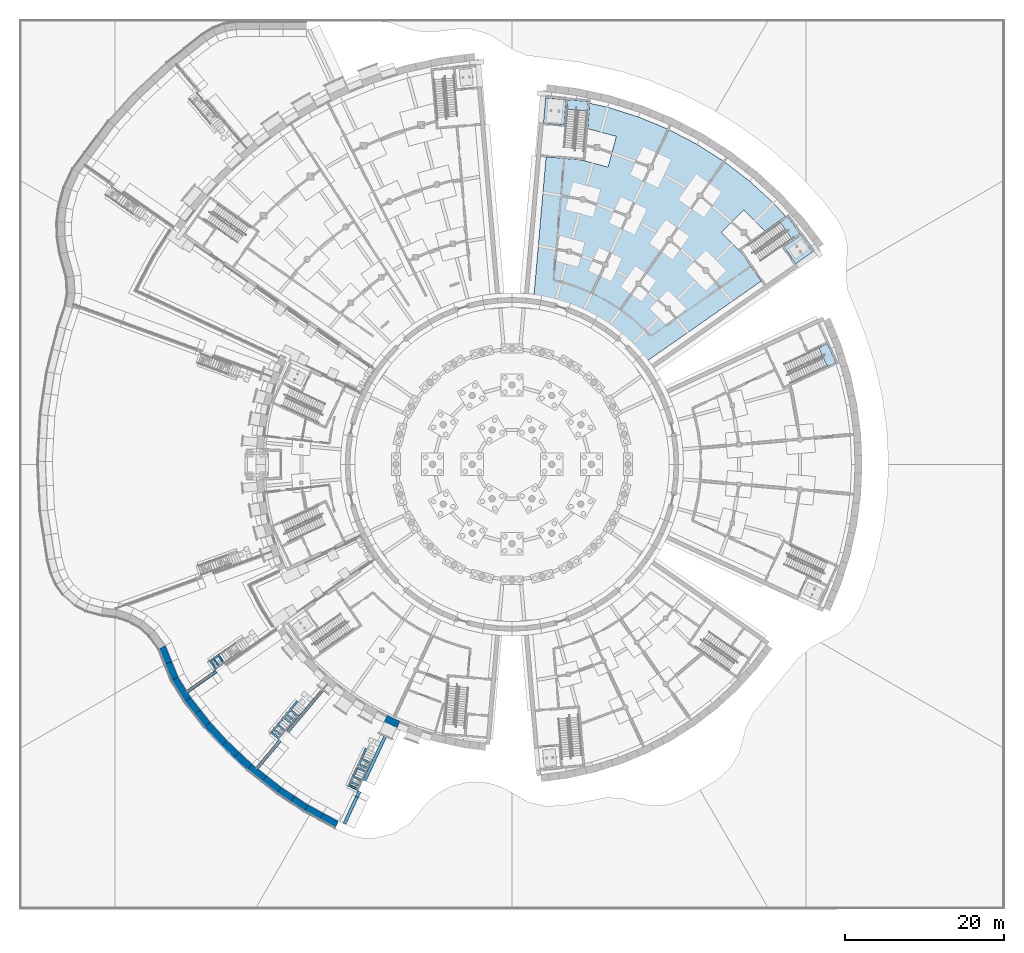
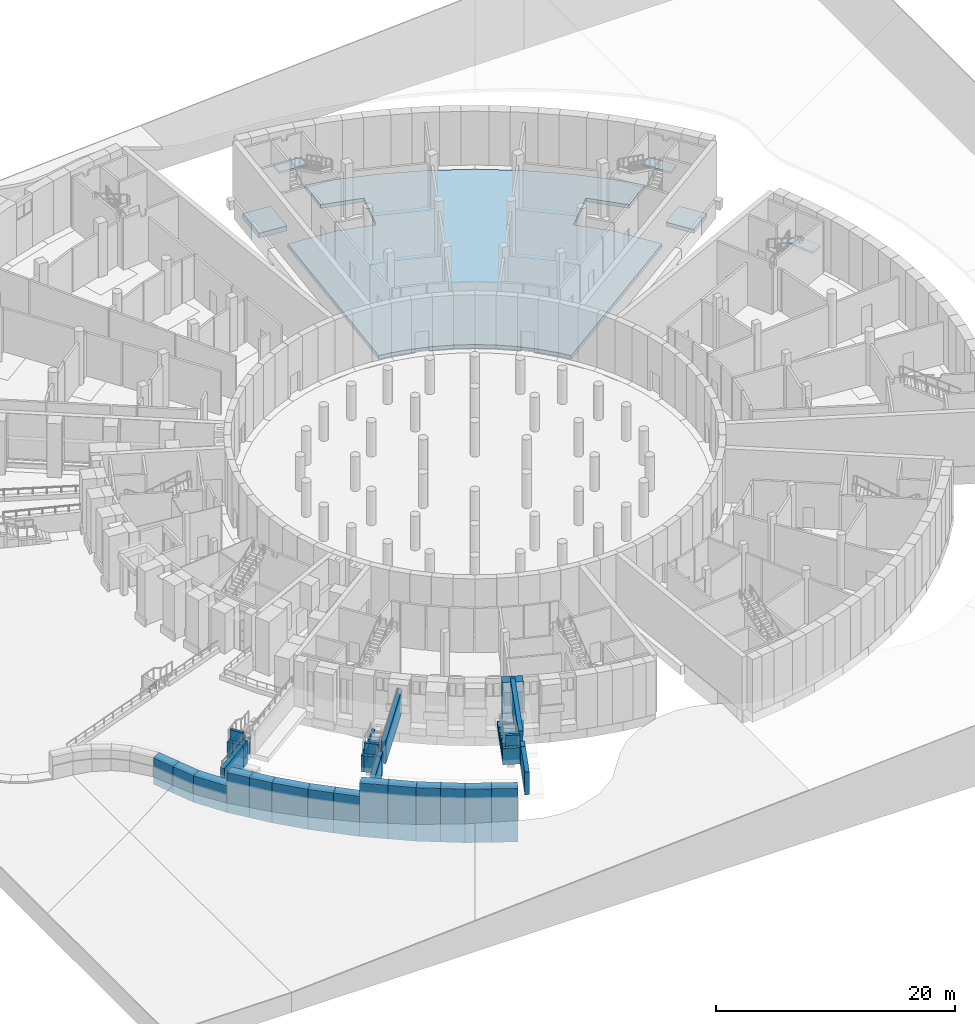
# One storey, part 35 of 65: 50 walls, 6 slabs, 3 elements without a shape of their own.
"""IFC4 building model written with IfcOpenShell, lengths in metres."""

import ifcopenshell
import ifcopenshell.guid

model = None  # the IFC model being written
_history = None  # IfcOwnerHistory: only IFC2X3 demands one
_inside = {}  # id of a spatial element -> (the spatial element, [elements in it])
_under = {}  # id of a project, library or spatial element -> (it, [spatial elements below it])
_declared = {}  # id of a project -> (the project, [libraries it declares])
_typed = {}  # id of a type object -> (the type object, [elements of that type])
_made_of = {}  # id of a material, layer set ... -> (it, [elements and type objects made of it])


def new_model(schema):
    """Start an empty IFC model of exactly this schema.

    Asked for "IFC4X3", IfcOpenShell would pick the latest addendum, in which some entities
    have other attributes; the version numbers below select the first issue.
    IFC2X3 requires an IfcOwnerHistory on every rooted entity: one is made here for all.
    """
    global model, _history
    if schema == "IFC4X3":
        model = ifcopenshell.file(schema_version=(4, 3, 0, 0))
    else:
        model = ifcopenshell.file(schema=schema)
    _inside.clear()
    _under.clear()
    _declared.clear()
    _typed.clear()
    _made_of.clear()
    _history = None
    if model.schema == "IFC2X3":
        org = make("IfcOrganization", Name="unknown")
        user = make(
            "IfcPersonAndOrganization",
            ThePerson=make("IfcPerson", FamilyName="unknown"),
            TheOrganization=org,
        )
        app = make(
            "IfcApplication",
            ApplicationDeveloper=org,
            Version="unknown",
            ApplicationFullName="unknown",
            ApplicationIdentifier="unknown",
        )
        _history = make(
            "IfcOwnerHistory",
            OwningUser=user,
            OwningApplication=app,
            ChangeAction="ADDED",
            CreationDate=0,
        )
    return model


def make(cls, **values):
    """One entity of the class cls with the attributes given. An attribute that is None is left unset."""
    return model.create_entity(
        cls, **{name: value for name, value in values.items() if value is not None}
    )


def rooted(cls, **values):
    """An entity with a GlobalId (a new one), such as an element, a storey or a relation."""
    return make(cls, GlobalId=ifcopenshell.guid.new(), OwnerHistory=_history, **values)


def si_unit(unit_type, name, prefix=None):
    """IfcSIUnit, for example si_unit("LENGTHUNIT", "METRE", prefix="MILLI")."""
    return make("IfcSIUnit", UnitType=unit_type, Prefix=prefix, Name=name)


def assignment(units):
    """IfcUnitAssignment: the units of a project."""
    return None if units is None else make("IfcUnitAssignment", Units=units)


def point(xyz):
    """IfcCartesianPoint."""
    return None if xyz is None else make("IfcCartesianPoint", Coordinates=xyz)


def direction(xyz):
    """IfcDirection."""
    return None if xyz is None else make("IfcDirection", DirectionRatios=xyz)


def frame(location, z_axis=None, x_axis=None):
    """IfcAxis2Placement3D, a coordinate frame: its origin and axes. An axis left out is left unset."""
    return make(
        "IfcAxis2Placement3D",
        Location=point(location),
        Axis=direction(z_axis),
        RefDirection=direction(x_axis),
    )


def frame_2d(location, x_axis=None):
    """IfcAxis2Placement2D, a coordinate frame in the plane: its origin and x axis."""
    return make(
        "IfcAxis2Placement2D", Location=point(location), RefDirection=direction(x_axis)
    )


def origin():
    """The frame at (0, 0, 0) with its axes left unset."""
    return frame((0.0, 0.0, 0.0))


def place(relative_to, where):
    """IfcLocalPlacement: puts the frame where relative to a parent placement (None: the world)."""
    return make(
        "IfcLocalPlacement", PlacementRelTo=relative_to, RelativePlacement=where
    )


def context(
    kind, dimensions, precision=None, world=None, true_north=None, identifier=None
):
    """IfcGeometricRepresentationContext, for example the 3D "Model" context."""
    return make(
        "IfcGeometricRepresentationContext",
        ContextIdentifier=identifier,
        ContextType=kind,
        CoordinateSpaceDimension=dimensions,
        Precision=precision,
        WorldCoordinateSystem=world,
        TrueNorth=true_north,
    )


def subcontext(parent, identifier, kind, view, scale=None):
    """IfcGeometricRepresentationSubContext, for example "Body" below "Model"."""
    return make(
        "IfcGeometricRepresentationSubContext",
        ContextIdentifier=identifier,
        ContextType=kind,
        ParentContext=parent,
        TargetScale=scale,
        TargetView=view,
    )


def project(units=None, contexts=None):
    """IfcProject with its units and contexts."""
    return rooted(
        "IfcProject",
        Name="project",
        RepresentationContexts=contexts,
        UnitsInContext=assignment(units),
    )


def spatial(cls, under=None, at=None, **own):
    """A site, building, storey or space (cls), placed at a placement, below another one or the project."""
    s = rooted(cls, ObjectPlacement=at, **own)
    if under is not None:
        _under.setdefault(under.id(), (under, []))[1].append(s)
    return s


def polyline(points):
    """IfcPolyline through the points."""
    return make("IfcPolyline", Points=[point(p) for p in points])


def profile(cls, at=None, kind="AREA", **sizes):
    """A parametric profile (cls). Its sizes go by their IFC names, for example OverallWidth=200.0."""
    return make(cls, ProfileType=kind, Position=at, **sizes)


def rectangle(**sizes):
    """IfcRectangleProfileDef."""
    return profile("IfcRectangleProfileDef", **sizes)


def outline(outer, holes=None, kind="AREA"):
    """IfcArbitraryClosedProfileDef: a profile drawn as a closed curve; with holes, ...WithVoids."""
    if holes is None:
        return make("IfcArbitraryClosedProfileDef", ProfileType=kind, OuterCurve=outer)
    return make(
        "IfcArbitraryProfileDefWithVoids",
        ProfileType=kind,
        OuterCurve=outer,
        InnerCurves=holes,
    )


def extrude(swept, where, along, depth):
    """IfcExtrudedAreaSolid: the profile swept, set in the frame where, extruded along a direction by depth."""
    return make(
        "IfcExtrudedAreaSolid",
        SweptArea=swept,
        Position=where,
        ExtrudedDirection=direction(along),
        Depth=depth,
    )


def shape(context_of_items, identifier, shape_type, items):
    """IfcShapeRepresentation: the items that make up one representation, for example the "Body"."""
    return make(
        "IfcShapeRepresentation",
        ContextOfItems=context_of_items,
        RepresentationIdentifier=identifier,
        RepresentationType=shape_type,
        Items=items,
    )


def material(Name=None, Category=None):
    """IfcMaterial."""
    return make("IfcMaterial", Name=Name, Category=Category)


def layer(
    of_material, thickness, ventilated=None, Name=None, Category=None, Priority=None
):
    """IfcMaterialLayer: one layer of a wall or slab, of a material (None: an air gap)."""
    return make(
        "IfcMaterialLayer",
        Material=of_material,
        LayerThickness=thickness,
        IsVentilated=ventilated,
        Name=Name,
        Category=Category,
        Priority=Priority,
    )


def layer_set(layers, Name=None):
    """IfcMaterialLayerSet."""
    return make("IfcMaterialLayerSet", MaterialLayers=layers, LayerSetName=Name)


def made_of(thing, what):
    """Note that an element or type object is made of a material, layer set ...; save() writes the relation."""
    if what is not None:
        _made_of.setdefault(what.id(), (what, []))[1].append(thing)
    return thing


def type_object(cls, material=None, **own):
    """A type object (cls), such as IfcWallType, which elements share."""
    return made_of(rooted(cls, **own), material)


def element(
    cls,
    number,
    at=None,
    inside=None,
    cuts=None,
    type_object=None,
    material=None,
    context=None,
    identifier="Body",
    shape_type=None,
    held_by="IfcProductDefinitionShape",
    body=None,
    shapes=None,
    **own,
):
    """One element of the class cls, such as IfcWall. Its Tag is "e" and its number.

    at: its placement. inside: the storey or other place that contains it. cuts: it is an
    opening in that element (IfcRelVoidsElement). A single representation is given by context,
    identifier, shape_type and body (its items); several are given by shapes. held_by: the class
    of the entity that holds the representations. save() writes the other relations.
    """
    e = rooted(cls, Tag="e%d" % number, ObjectPlacement=at, **own)
    if body is not None:
        shapes = [shape(context, identifier, shape_type, body)]
    if shapes is not None:
        e.Representation = make(held_by, Representations=shapes)
    if inside is not None:
        _inside.setdefault(inside.id(), (inside, []))[1].append(e)
    if cuts is not None:
        rooted(
            "IfcRelVoidsElement", RelatingBuildingElement=cuts, RelatedOpeningElement=e
        )
    if type_object is not None:
        _typed.setdefault(type_object.id(), (type_object, []))[1].append(e)
    return made_of(e, material)


def aggregate(whole, parts):
    """IfcRelAggregates: a whole, such as a stair, and the parts it consists of."""
    return rooted("IfcRelAggregates", RelatingObject=whole, RelatedObjects=parts)


def save(model, path):
    """Write the relations noted so far, then the file.

    IfcRelAggregates (storeys below a building ...), IfcRelContainedInSpatialStructure (elements
    in a storey), IfcRelDefinesByType, IfcRelAssociatesMaterial and IfcRelDeclares: one each for
    every whole, place, type object, material and project.
    """
    for whole, parts in _under.values():
        aggregate(whole, parts)
    for where, things in _inside.values():
        rooted(
            "IfcRelContainedInSpatialStructure",
            RelatedElements=things,
            RelatingStructure=where,
        )
    for kind, things in _typed.values():
        rooted("IfcRelDefinesByType", RelatedObjects=things, RelatingType=kind)
    for what, things in _made_of.values():
        rooted("IfcRelAssociatesMaterial", RelatedObjects=things, RelatingMaterial=what)
    for by, libraries in _declared.values():
        rooted("IfcRelDeclares", RelatingContext=by, RelatedDefinitions=libraries)
    model.write(path)


model = new_model("IFC4")

# Units and contexts
model_context = context("Model", 3, precision=1e-05, world=origin(), true_north=direction((0.0, 1.0)))
body_context = subcontext(model_context, "Body", "Model", "MODEL_VIEW")
ifc_project = project(units=[si_unit("LENGTHUNIT", "METRE"), si_unit("AREAUNIT", "SQUARE_METRE"), si_unit("VOLUMEUNIT", "CUBIC_METRE"), si_unit("PLANEANGLEUNIT", "RADIAN"), si_unit("MASSUNIT", "GRAM", prefix="KILO")], contexts=[model_context])

# Site, building, storey
site_placement = place(None, origin())
site = spatial("IfcSite", under=ifc_project, at=site_placement, CompositionType="ELEMENT")
building_placement = place(site_placement, origin())
building = spatial("IfcBuilding", under=site, at=building_placement, Name="Volute Hill Aquarium", CompositionType="ELEMENT")
storey_placement = place(building_placement, frame((0.0, 0.0, -5.5)))
storey = spatial("IfcBuildingStorey", under=building, at=storey_placement, Name="L00", CompositionType="ELEMENT", Elevation=-5.5)

# Slabs
ifc_material_1 = material(Name="Concrete C30/37", Category="concrete")
ifc_layer_1 = layer(ifc_material_1, 0.3798828125)
ifc_layer_set_1 = layer_set([ifc_layer_1], Name="Base slab 380 C30/37")
slab_type_1 = type_object("IfcSlabType", Name="Base slab 380 C30/37", PredefinedType="BASESLAB", material=ifc_layer_set_1)
slab_1_placement = place(storey_placement, frame((0.0, 0.0, -0.3798828125)))
element("IfcSlab", 1, at=slab_1_placement, inside=storey, type_object=slab_type_1, Name="bs/S5/L00/1", PredefinedType="BASESLAB", context=body_context, shape_type="SweptSolid", body=[
    extrude(outline(polyline([(4.291259765625, 38.723388671875), (8.7255859375, 38.33544921875), (12.10009765625, 37.43115234375), (13.135498046875, 41.294921875), (9.519775390625, 42.263671875), (9.799560546875, 45.46240234375), (12.048095703125, 44.9638671875), (15.9208984375, 43.74267578125), (19.6728515625, 42.188720703125), (23.27490234375, 40.3134765625), (26.699951171875, 38.131591796875), (29.921875, 35.659423828125), (32.915771484375, 32.915771484375), (34.4716796875, 31.218017578125), (31.841552734375, 29.376220703125), (29.194580078125, 32.023193359375), (26.3662109375, 29.194580078125), (28.83642578125, 26.724609375), (31.389892578125, 23.077880859375), (16.65380859375, 12.759765625), (16.0869140625, 13.49853515625), (14.84912109375, 14.84912109375), (13.49853515625, 16.0869140625), (12.045166015625, 17.2021484375), (10.5, 18.1865234375), (8.875, 19.032470703125), (7.182373046875, 19.7333984375), (5.435302734375, 20.284423828125), (3.646484375, 20.680908203125), (2.723388671875, 20.802490234375), (4.291259765625, 38.723388671875)])), origin(), (0.0, 0.0, 1.0), 0.3798828125),
])
ifc_material_2 = material(Name="Concrete C30/37", Category="concrete")
ifc_layer_2 = layer(ifc_material_2, 0.39990234375)
ifc_layer_set_2 = layer_set([ifc_layer_2], Name="Lift pit slab 400 C30/37")
slab_type_2 = type_object("IfcSlabType", Name="Lift pit slab 400 C30/37", PredefinedType="BASESLAB", material=ifc_layer_set_2)
slab_2_placement = place(storey_placement, frame((0.0, 0.0, -1.800048828125)))
element("IfcSlab", 2, at=slab_2_placement, inside=storey, type_object=slab_type_2, Name="lp/S5-A/L00", PredefinedType="BASESLAB", context=body_context, shape_type="SweptSolid", body=[
    extrude(outline(polyline([(35.72314453125, 25.2578125), (37.85302734375, 26.7490234375), (36.36181640625, 28.87890625), (34.23193359375, 27.3876953125), (35.72314453125, 25.2578125)])), origin(), (0.0, 0.0, 1.0), 0.400146484375),
])
ifc_material_3 = material(Name="Concrete C30/37", Category="concrete")
ifc_layer_3 = layer(ifc_material_3, 0.5)
ifc_layer_set_3 = layer_set([ifc_layer_3], Name="Lift pit slab 500 C30/37")
slab_type_3 = type_object("IfcSlabType", Name="Lift pit slab 500 C30/37", PredefinedType="BASESLAB", material=ifc_layer_set_3)
slab_3_placement = place(storey_placement, frame((0.0, 0.0, -1.89990234375)))
element("IfcSlab", 3, at=slab_3_placement, inside=storey, type_object=slab_type_3, Name="lp/S5-B/L00", PredefinedType="BASESLAB", context=body_context, shape_type="SweptSolid", body=[
    extrude(outline(polyline([(3.9599609375, 42.968505859375), (4.239013671875, 46.15625), (6.8291015625, 45.9296875), (6.550048828125, 42.74169921875), (3.9599609375, 42.968505859375)])), origin(), (0.0, 0.0, 1.0), 0.5),
])

# Stair, slab
ifc_material_4 = material(Name="Concrete C35/45", Category="concrete")
stair_type = type_object("IfcStairType", Name="Stair C35/45", PredefinedType="HALF_TURN_STAIR", material=ifc_material_4)
stair_1_placement = place(storey_placement, origin())
stair_1 = element("IfcStair", 4, at=stair_1_placement, inside=storey, type_object=stair_type, Name="ST/S4-B/L00", PredefinedType="HALF_TURN_STAIR")
ifc_material_5 = material(Name="Concrete C35/45", Category="concrete")
ifc_layer_4 = layer(ifc_material_5, 0.199951171875)
ifc_layer_set_4 = layer_set([ifc_layer_4], Name="Stair landing C35/45 200")
slab_type_4 = type_object("IfcSlabType", Name="Stair landing C35/45 200", PredefinedType="LANDING", material=ifc_layer_set_4)
slab_4_placement = place(storey_placement, frame((0.0, 0.0, 2.550048828125)))
slab_4 = element("IfcSlab", 5, at=slab_4_placement, type_object=slab_type_4, Name="ST-S4-B-00 landing 1", PredefinedType="LANDING", context=body_context, shape_type="SweptSolid", body=[
    extrude(outline(polyline([(39.70458984375, 12.335693359375), (40.794189453125, 12.84375), (39.6953125, 15.2001953125), (38.60595703125, 14.692138671875), (39.70458984375, 12.335693359375)])), origin(), (0.0, 0.0, 1.0), 0.199951171875),
])
aggregate(stair_1, [slab_4])

stair_2_placement = place(storey_placement, origin())
stair_2 = element("IfcStair", 6, at=stair_2_placement, inside=storey, type_object=stair_type, Name="ST/S5-A/L00", PredefinedType="HALF_TURN_STAIR")
slab_5_placement = place(storey_placement, frame((0.0, 0.0, 2.550048828125)))
slab_5 = element("IfcSlab", 7, at=slab_5_placement, type_object=slab_type_4, Name="ST-S5-A-00 landing 1", PredefinedType="LANDING", context=body_context, shape_type="SweptSolid", body=[
    extrude(outline(polyline([(35.26220703125, 28.353271484375), (36.2470703125, 29.042724609375), (34.755615234375, 31.172607421875), (33.77099609375, 30.483154296875), (35.26220703125, 28.353271484375)])), origin(), (0.0, 0.0, 1.0), 0.199951171875),
])
aggregate(stair_2, [slab_5])

stair_3_placement = place(storey_placement, origin())
stair_3 = element("IfcStair", 8, at=stair_3_placement, inside=storey, type_object=stair_type, Name="ST/S5-B/L00", PredefinedType="HALF_TURN_STAIR")
slab_6_placement = place(storey_placement, frame((0.0, 0.0, 2.550048828125)))
slab_6 = element("IfcSlab", 9, at=slab_6_placement, type_object=slab_type_4, Name="ST-S5-B-00 landing 1", PredefinedType="LANDING", context=body_context, shape_type="SweptSolid", body=[
    extrude(outline(polyline([(9.513671875, 44.488037109375), (9.618408203125, 45.685546875), (7.0283203125, 45.912109375), (6.923583984375, 44.714599609375), (9.513671875, 44.488037109375)])), origin(), (0.0, 0.0, 1.0), 0.199951171875),
])
aggregate(stair_3, [slab_6])

# Walls
ifc_material_6 = material(Name="Precast concrete C40/50", Category="concrete")
ifc_layer_5 = layer(ifc_material_6, 0.89990234375)
ifc_layer_set_5 = layer_set([ifc_layer_5], Name="Outer pier precast concrete C40/50 900")
wall_type_1 = type_object("IfcWallType", Name="Outer pier precast concrete C40/50 900", PredefinedType="NOTDEFINED", material=ifc_layer_set_5)
wall_1_placement = place(storey_placement, origin())
element("IfcWall", 10, at=wall_1_placement, inside=storey, type_object=wall_type_1, Name="Outer pier OWP S2 L00 7", PredefinedType="NOTDEFINED", context=body_context, shape_type="SweptSolid", body=[
    extrude(outline(polyline([(-15.689208984375, -31.5908203125), (-16.104736328125, -32.38916015625), (-14.459716796875, -33.156494140625), (-14.115234375, -32.324951171875), (-14.918212890625, -31.9921875), (-15.689208984375, -31.5908203125)])), origin(), (0.0, 0.0, 1.0), 5.5),
])
ifc_material_7 = material(Name="Concrete C30/37", Category="concrete")
ifc_layer_6 = layer(ifc_material_7, 0.39990234375)
ifc_layer_set_6 = layer_set([ifc_layer_6], Name="Retaining wall C30/37 400")
wall_type_2 = type_object("IfcWallType", Name="Retaining wall C30/37 400", PredefinedType="SOLIDWALL", material=ifc_layer_set_6)
wall_2_placement = place(storey_placement, frame((-37.222412109375, -26.063232421875, 0.875), z_axis=(0.0, 0.0, 1.0), x_axis=(-0.818975235565, -0.573828862581, 0.0)))
element("IfcWall", 11, at=wall_2_placement, inside=storey, type_object=wall_type_2, Name="rw/215/L00/1", PredefinedType="SOLIDWALL", context=body_context, shape_type="SweptSolid", body=[
    extrude(rectangle(XDim=0.759765625, YDim=0.39990234375, at=frame_2d((0.3798828125, 0.0))), origin(), (0.0, 0.0, 1.0), 2.324951171875),
])
wall_3_placement = place(storey_placement, frame((0.0, 0.0, 0.875)))
element("IfcWall", 12, at=wall_3_placement, inside=storey, type_object=wall_type_2, Name="rw/215/L00/2", PredefinedType="SOLIDWALL", context=body_context, shape_type="SweptSolid", body=[
    extrude(outline(polyline([(-37.72998046875, -26.6630859375), (-37.95947265625, -26.33544921875), (-41.005126953125, -28.468017578125), (-40.79345703125, -28.80810546875), (-37.72998046875, -26.6630859375)])), origin(), (0.0, 0.0, 1.0), 2.324951171875),
])
wall_4_placement = place(storey_placement, frame((-23.268798828125, -27.730712890625, 2.25), z_axis=(0.0, 0.0, 1.0), x_axis=(-0.642799203324, -0.766034714752, 0.0)))
element("IfcWall", 13, at=wall_4_placement, inside=storey, type_object=wall_type_2, Name="rw/230/L00/0", PredefinedType="SOLIDWALL", context=body_context, shape_type="SweptSolid", body=[
    extrude(rectangle(XDim=7.740234375, YDim=0.39990234375, at=frame_2d((3.8701171875, 0.0))), origin(), (0.0, 0.0, 1.0), 2.324951171875),
])
wall_5_placement = place(storey_placement, frame((-29.208251953125, -34.80908203125, 2.25), z_axis=(0.0, 0.0, 1.0), x_axis=(-0.642739991173, -0.766084397275, 0.0)))
element("IfcWall", 14, at=wall_5_placement, inside=storey, type_object=wall_type_2, Name="rw/230/L00/1", PredefinedType="SOLIDWALL", context=body_context, shape_type="SweptSolid", body=[
    extrude(rectangle(XDim=0.760009765625, YDim=0.39990234375, at=frame_2d((0.3798828125, 0.0))), origin(), (0.0, 0.0, 1.0), 2.324951171875),
])
wall_6_placement = place(storey_placement, frame((0.0, 0.0, 2.25)))
element("IfcWall", 15, at=wall_6_placement, inside=storey, type_object=wall_type_2, Name="rw/230/L00/2", PredefinedType="SOLIDWALL", context=body_context, shape_type="SweptSolid", body=[
    extrude(outline(polyline([(-29.543701171875, -35.519775390625), (-29.85009765625, -35.2626953125), (-32.265869140625, -38.141845703125), (-31.95166015625, -38.389892578125), (-29.543701171875, -35.519775390625)])), origin(), (0.0, 0.0, 1.0), 2.324951171875),
])
wall_7_placement = place(storey_placement, frame((-15.298828125, -32.808349609375, 3.625), z_axis=(0.0, 0.0, 1.0), x_axis=(-0.422607433309, -0.906312836339, 0.0)))
element("IfcWall", 16, at=wall_7_placement, inside=storey, type_object=wall_type_2, Name="rw/245/L00/0", PredefinedType="SOLIDWALL", context=body_context, shape_type="SweptSolid", body=[
    extrude(rectangle(XDim=7.739990234375, YDim=0.39990234375, at=frame_2d((3.8701171875, 0.0))), origin(), (0.0, 0.0, 1.0), 2.324951171875),
])
wall_8_placement = place(storey_placement, frame((-19.203857421875, -41.1826171875, 3.625), z_axis=(0.0, 0.0, 1.0), x_axis=(-0.422498469725, -0.906363637333, 0.0)))
element("IfcWall", 17, at=wall_8_placement, inside=storey, type_object=wall_type_2, Name="rw/245/L00/1", PredefinedType="SOLIDWALL", context=body_context, shape_type="SweptSolid", body=[
    extrude(rectangle(XDim=0.759765625, YDim=0.39990234375, at=frame_2d((0.3798828125, 0.0))), origin(), (0.0, 0.0, 1.0), 2.324951171875),
])
wall_9_placement = place(storey_placement, frame((0.0, 0.0, 3.625)))
element("IfcWall", 18, at=wall_9_placement, inside=storey, type_object=wall_type_2, Name="rw/245/L00/2", PredefinedType="SOLIDWALL", context=body_context, shape_type="SweptSolid", body=[
    extrude(outline(polyline([(-19.34375, -41.955810546875), (-19.706298828125, -41.786865234375), (-21.295654296875, -45.195556640625), (-20.9287109375, -45.35498046875), (-19.34375, -41.955810546875)])), origin(), (0.0, 0.0, 1.0), 2.324951171875),
])
ifc_material_8 = material(Name="Concrete C30/37", Category="concrete")
ifc_layer_7 = layer(ifc_material_8, 0.89990234375)
ifc_layer_set_7 = layer_set([ifc_layer_7], Name="Site edge retaining wall C30/37 900")
wall_type_3 = type_object("IfcWallType", Name="Site edge retaining wall C30/37 900", PredefinedType="SOLIDWALL", material=ifc_layer_set_7)
wall_10_placement = place(storey_placement, frame((0.0, 0.0, -0.5)))
element("IfcWall", 19, at=wall_10_placement, inside=storey, type_object=wall_type_3, Name="rw/E5FB1/L00/0", PredefinedType="SOLIDWALL", context=body_context, shape_type="SweptSolid", body=[
    extrude(outline(polyline([(-44.443603515625, -23.259033203125), (-43.67236328125, -25.176025390625), (-42.83740234375, -24.840087890625), (-43.65234375, -22.814453125), (-44.443603515625, -23.259033203125)])), origin(), (0.0, 0.0, 1.0), 2.72509765625),
])
wall_11_placement = place(storey_placement, frame((0.0, 0.0, -0.5)))
element("IfcWall", 20, at=wall_11_placement, inside=storey, type_object=wall_type_3, Name="rw/E5FB1/L00/1", PredefinedType="SOLIDWALL", context=body_context, shape_type="SweptSolid", body=[
    extrude(outline(polyline([(-43.67236328125, -25.176025390625), (-42.864501953125, -27.183837890625), (-42.05908203125, -26.77490234375), (-42.83740234375, -24.840087890625), (-43.67236328125, -25.176025390625)])), origin(), (0.0, 0.0, 1.0), 2.72509765625),
])
wall_12_placement = place(storey_placement, frame((0.0, 0.0, -0.5)))
element("IfcWall", 21, at=wall_12_placement, inside=storey, type_object=wall_type_3, Name="rw/E6FB1/L00/0", PredefinedType="SOLIDWALL", context=body_context, shape_type="SweptSolid", body=[
    extrude(outline(polyline([(-41.1845703125, -29.882568359375), (-41.1845703125, -29.882568359375), (-40.44677734375, -29.364990234375), (-42.05908203125, -26.77490234375), (-42.05908203125, -26.77490234375), (-42.864501953125, -27.183837890625), (-42.864501953125, -27.183837890625), (-41.1845703125, -29.882568359375)])), origin(), (0.0, 0.0, 1.0), 2.72509765625),
])
wall_13_placement = place(storey_placement, frame((0.0, 0.0, -0.5)))
element("IfcWall", 22, at=wall_13_placement, inside=storey, type_object=wall_type_3, Name="rw/E7FB2/L00/0", PredefinedType="SOLIDWALL", context=body_context, shape_type="SweptSolid", body=[
    extrude(outline(polyline([(-41.1845703125, -29.882568359375), (-39.926513671875, -31.48193359375), (-39.218994140625, -30.925537109375), (-40.44677734375, -29.364990234375), (-40.44677734375, -29.364990234375), (-41.1845703125, -29.882568359375)])), origin(), (0.0, 0.0, 1.0), 4.10009765625),
])
wall_14_placement = place(storey_placement, frame((0.0, 0.0, -0.5)))
element("IfcWall", 23, at=wall_14_placement, inside=storey, type_object=wall_type_3, Name="rw/E7FB2/L00/1", PredefinedType="SOLIDWALL", context=body_context, shape_type="SweptSolid", body=[
    extrude(outline(polyline([(-38.67333984375, -33.07470703125), (-38.67333984375, -33.07470703125), (-37.986328125, -32.492431640625), (-39.218994140625, -30.925537109375), (-39.926513671875, -31.48193359375), (-38.67333984375, -33.07470703125)])), origin(), (0.0, 0.0, 1.0), 4.10009765625),
])
wall_15_placement = place(storey_placement, frame((0.0, 0.0, -0.5)))
element("IfcWall", 24, at=wall_15_placement, inside=storey, type_object=wall_type_3, Name="rw/E8FB2/L00/0", PredefinedType="SOLIDWALL", context=body_context, shape_type="SweptSolid", body=[
    extrude(outline(polyline([(-38.67333984375, -33.07470703125), (-36.560302734375, -35.391845703125), (-35.917724609375, -34.760986328125), (-35.917724609375, -34.760986328125), (-37.986328125, -32.492431640625), (-38.67333984375, -33.07470703125)])), origin(), (0.0, 0.0, 1.0), 4.10009765625),
])
wall_16_placement = place(storey_placement, frame((0.0, 0.0, -0.5)))
element("IfcWall", 25, at=wall_16_placement, inside=storey, type_object=wall_type_3, Name="rw/E9FB2/L00/0", PredefinedType="SOLIDWALL", context=body_context, shape_type="SweptSolid", body=[
    extrude(outline(polyline([(-36.560302734375, -35.391845703125), (-34.948974609375, -36.917236328125), (-34.330322265625, -36.263671875), (-35.917724609375, -34.760986328125), (-36.560302734375, -35.391845703125), (-36.560302734375, -35.391845703125)])), origin(), (0.0, 0.0, 1.0), 4.10009765625),
])
wall_17_placement = place(storey_placement, frame((0.0, 0.0, -0.5)))
element("IfcWall", 26, at=wall_17_placement, inside=storey, type_object=wall_type_3, Name="rw/E9FB2/L00/1", PredefinedType="SOLIDWALL", context=body_context, shape_type="SweptSolid", body=[
    extrude(outline(polyline([(-34.948974609375, -36.917236328125), (-33.334716796875, -38.445068359375), (-32.74560546875, -37.763671875), (-34.330322265625, -36.263671875), (-34.948974609375, -36.917236328125)])), origin(), (0.0, 0.0, 1.0), 4.10009765625),
])
wall_18_placement = place(storey_placement, frame((0.0, 0.0, -0.5)))
element("IfcWall", 27, at=wall_18_placement, inside=storey, type_object=wall_type_3, Name="rw/E10FB3/L00/0", PredefinedType="SOLIDWALL", context=body_context, shape_type="SweptSolid", body=[
    extrude(outline(polyline([(-33.334716796875, -38.445068359375), (-31.45556640625, -39.927490234375), (-30.898193359375, -39.220947265625), (-32.74560546875, -37.763671875), (-32.74560546875, -37.763671875), (-33.334716796875, -38.445068359375)])), origin(), (0.0, 0.0, 1.0), 5.47509765625),
])
wall_19_placement = place(storey_placement, frame((0.0, 0.0, -0.5)))
element("IfcWall", 28, at=wall_19_placement, inside=storey, type_object=wall_type_3, Name="rw/E10FB3/L00/1", PredefinedType="SOLIDWALL", context=body_context, shape_type="SweptSolid", body=[
    extrude(outline(polyline([(-29.57666015625, -41.409912109375), (-29.57666015625, -41.409912109375), (-29.050537109375, -40.678466796875), (-29.050537109375, -40.678466796875), (-30.898193359375, -39.220947265625), (-31.45556640625, -39.927490234375), (-29.57666015625, -41.409912109375)])), origin(), (0.0, 0.0, 1.0), 5.47509765625),
])
wall_20_placement = place(storey_placement, frame((0.0, 0.0, -0.5)))
element("IfcWall", 29, at=wall_20_placement, inside=storey, type_object=wall_type_3, Name="rw/E11FB3/L00/0", PredefinedType="SOLIDWALL", context=body_context, shape_type="SweptSolid", body=[
    extrude(outline(polyline([(-29.57666015625, -41.409912109375), (-27.8642578125, -42.530029296875), (-27.37158203125, -41.77685546875), (-29.050537109375, -40.678466796875), (-29.57666015625, -41.409912109375)])), origin(), (0.0, 0.0, 1.0), 5.47509765625),
])
wall_21_placement = place(storey_placement, frame((0.0, 0.0, -0.5)))
element("IfcWall", 30, at=wall_21_placement, inside=storey, type_object=wall_type_3, Name="rw/E11FB3/L00/1", PredefinedType="SOLIDWALL", context=body_context, shape_type="SweptSolid", body=[
    extrude(outline(polyline([(-26.15283203125, -43.6494140625), (-26.15283203125, -43.6494140625), (-25.69140625, -42.875732421875), (-27.37158203125, -41.77685546875), (-27.8642578125, -42.530029296875), (-26.15283203125, -43.6494140625)])), origin(), (0.0, 0.0, 1.0), 5.47509765625),
])
wall_22_placement = place(storey_placement, frame((0.0, 0.0, -0.5)))
element("IfcWall", 31, at=wall_22_placement, inside=storey, type_object=wall_type_3, Name="rw/E12FB3/L00/0", PredefinedType="SOLIDWALL", context=body_context, shape_type="SweptSolid", body=[
    extrude(outline(polyline([(-26.15283203125, -43.6494140625), (-24.200927734375, -44.7060546875), (-23.7724609375, -43.91455078125), (-25.69140625, -42.875732421875), (-25.69140625, -42.875732421875), (-26.15283203125, -43.6494140625)])), origin(), (0.0, 0.0, 1.0), 5.47509765625),
])
wall_23_placement = place(storey_placement, frame((0.0, 0.0, -0.5)))
element("IfcWall", 32, at=wall_23_placement, inside=storey, type_object=wall_type_3, Name="rw/E12FB3/L00/1", PredefinedType="SOLIDWALL", context=body_context, shape_type="SweptSolid", body=[
    extrude(outline(polyline([(-22.248291015625, -45.762939453125), (-22.248291015625, -45.762939453125), (-21.854248046875, -44.952880859375), (-21.854248046875, -44.952880859375), (-23.7724609375, -43.91455078125), (-24.200927734375, -44.7060546875), (-22.248291015625, -45.762939453125)])), origin(), (0.0, 0.0, 1.0), 5.47509765625),
])
ifc_material_9 = material(Name="Concrete C30/37", Category="concrete")
ifc_layer_8 = layer(ifc_material_9, 0.25)
ifc_layer_set_8 = layer_set([ifc_layer_8], Name="Stair head parapet C30/37 250")
wall_type_4 = type_object("IfcWallType", Name="Stair head parapet C30/37 250", PredefinedType="SOLIDWALL", material=ifc_layer_set_8)
wall_24_placement = place(storey_placement, frame((-37.234619140625, -25.827880859375, 2.7490234375), z_axis=(0.0, 0.0, 1.0), x_axis=(-0.573475997466, 0.819222363177, 0.0)))
element("IfcWall", 33, at=wall_24_placement, inside=storey, type_object=wall_type_4, Name="sw/ST215/L00/g", PredefinedType="SOLIDWALL", context=body_context, shape_type="SweptSolid", body=[
    extrude(rectangle(XDim=1.2001953125, YDim=0.25, at=frame_2d((0.60009765625, 0.0))), origin(), (0.0, 0.0, 1.0), 1.10107421875),
])
for number, where, z_axis, x_axis, name in (
    (34, (-29.281005859375, -34.584716796875, 4.1240234375), (0.0, 0.0, 1.0), (-0.766149536464, 0.642662343518, 0.0), "sw/ST230/L00/g"),
    (35, (-19.332275390625, -40.98486328125, 5.4990234375), (0.0, 0.0, 1.0), (-0.90633900194, 0.422551314709, 0.0), "sw/ST245/L00/g"),
):
    element("IfcWall", number, at=place(storey_placement, frame(where, z_axis=z_axis, x_axis=x_axis)), inside=storey, type_object=wall_type_4, Name=name, PredefinedType="SOLIDWALL", context=body_context, shape_type="SweptSolid", body=[
        extrude(rectangle(XDim=1.199951171875, YDim=0.25, at=frame_2d((0.60009765625, 0.0))), origin(), (0.0, 0.0, 1.0), 1.10107421875),
    ])
ifc_material_10 = material(Name="Concrete C30/37", Category="concrete")
ifc_layer_9 = layer(ifc_material_10, 0.25)
ifc_layer_set_9 = layer_set([ifc_layer_9], Name="Stair string wall C30/37 250")
wall_type_5 = type_object("IfcWallType", Name="Stair string wall C30/37 250", PredefinedType="SOLIDWALL", material=ifc_layer_set_9)
wall_25_placement = place(storey_placement, frame((-36.8681640625, -23.95361328125, 0.875), z_axis=(0.0, 0.0, 1.0), x_axis=(-0.819086626796, -0.573669850876, 0.0)))
element("IfcWall", 36, at=wall_25_placement, inside=storey, type_object=wall_type_5, Name="sw/ST215/L00/4", PredefinedType="SOLIDWALL", context=body_context, shape_type="SweptSolid", body=[
    extrude(rectangle(XDim=1.500244140625, YDim=0.25, at=frame_2d((0.75, 0.0))), origin(), (0.0, 0.0, 1.0), 1.676025390625),
])
wall_26_placement = place(storey_placement, frame((-36.210693359375, -25.11083984375, 0.875), z_axis=(0.0, 0.0, 1.0), x_axis=(-0.573518847987, 0.819192365079, 0.0)))
element("IfcWall", 37, at=wall_26_placement, inside=storey, type_object=wall_type_5, Name="sw/ST215/L00/xc", PredefinedType="SOLIDWALL", context=body_context, shape_type="SweptSolid", body=[
    extrude(rectangle(XDim=1.449951171875, YDim=0.25, at=frame_2d((0.72509765625, 0.0))), origin(), (0.0, 0.0, 1.0), 1.676025390625),
])
wall_27_placement = place(storey_placement, frame((-37.234619140625, -25.827880859375, 0.875), z_axis=(0.0, 0.0, 1.0), x_axis=(-0.573552727657, 0.819168644784, 0.0)))
element("IfcWall", 38, at=wall_27_placement, inside=storey, type_object=wall_type_5, Name="sw/ST215/L00/xd", PredefinedType="SOLIDWALL", context=body_context, shape_type="SweptSolid", body=[
    extrude(rectangle(XDim=1.4501953125, YDim=0.25, at=frame_2d((0.72509765625, 0.0))), origin(), (0.0, 0.0, 1.0), 1.676025390625),
])
wall_28_placement = place(storey_placement, frame((-36.824951171875, -25.541015625, 0.875), z_axis=(0.0, 0.0, 1.0), x_axis=(-0.573631830683, 0.819113253969, 0.0)))
element("IfcWall", 39, at=wall_28_placement, inside=storey, type_object=wall_type_5, Name="sw/ST215/L00/xf", PredefinedType="SOLIDWALL", context=body_context, shape_type="SweptSolid", body=[
    extrude(rectangle(XDim=1.449951171875, YDim=0.25, at=frame_2d((0.72509765625, 0.0))), origin(), (0.0, 0.0, 1.0), 1.676025390625),
])
wall_29_placement = place(storey_placement, frame((-27.00830078125, -29.814697265625, 2.25), z_axis=(0.0, 0.0, 1.0), x_axis=(-0.642713381368, -0.766106721946, 0.0)))
element("IfcWall", 40, at=wall_29_placement, inside=storey, type_object=wall_type_5, Name="sw/ST230/L00/1", PredefinedType="SOLIDWALL", context=body_context, shape_type="SweptSolid", body=[
    extrude(rectangle(XDim=1.280029296875, YDim=0.25, at=frame_2d((0.64013671875, 0.0))), origin(), (0.0, 0.0, 1.0), 0.800048828125),
])
wall_30_placement = place(storey_placement, frame((-27.8310546875, -30.79541015625, 2.25), z_axis=(0.0, 0.0, 1.0), x_axis=(-0.642806440183, -0.766028642062, 0.0)))
element("IfcWall", 41, at=wall_30_placement, inside=storey, type_object=wall_type_5, Name="sw/ST230/L00/2", PredefinedType="SOLIDWALL", context=body_context, shape_type="SweptSolid", body=[
    extrude(rectangle(XDim=1.499755859375, YDim=0.25, at=frame_2d((0.75, 0.0))), origin(), (0.0, 0.0, 1.0), 1.06494140625),
])
wall_31_placement = place(storey_placement, frame((-28.795166015625, -31.9443359375, 2.25), z_axis=(0.0, 0.0, 1.0), x_axis=(-0.642881906166, -0.765965309087, 0.0)))
element("IfcWall", 42, at=wall_31_placement, inside=storey, type_object=wall_type_5, Name="sw/ST230/L00/3", PredefinedType="SOLIDWALL", context=body_context, shape_type="SweptSolid", body=[
    extrude(rectangle(XDim=0.9599609375, YDim=0.25, at=frame_2d((0.47998046875, 0.0))), origin(), (0.0, 0.0, 1.0), 1.263916015625),
])
wall_32_placement = place(storey_placement, frame((-29.412353515625, -32.6796875, 2.25), z_axis=(0.0, 0.0, 1.0), x_axis=(-0.64272629393, -0.766095888966, 0.0)))
element("IfcWall", 43, at=wall_32_placement, inside=storey, type_object=wall_type_5, Name="sw/ST230/L00/4", PredefinedType="SOLIDWALL", context=body_context, shape_type="SweptSolid", body=[
    extrude(rectangle(XDim=1.5, YDim=0.25, at=frame_2d((0.75, 0.0))), origin(), (0.0, 0.0, 1.0), 1.676025390625),
])
for number, where, z_axis, x_axis, name in (
    (44, (-26.896484375, -31.74267578125, 2.25), (0.0, 0.0, 1.0), (-0.766049768439, 0.642781263164, 0.0), "sw/ST230/L00/xa"),
    (45, (-27.699951171875, -32.7001953125, 2.25), (0.0, 0.0, 1.0), (-0.766049768439, 0.642781263164, 0.0), "sw/ST230/L00/xb"),
):
    element("IfcWall", number, at=place(storey_placement, frame(where, z_axis=z_axis, x_axis=x_axis)), inside=storey, type_object=wall_type_5, Name=name, PredefinedType="SOLIDWALL", context=body_context, shape_type="SweptSolid", body=[
        extrude(rectangle(XDim=1.44970703125, YDim=0.25, at=frame_2d((0.724853515625, 0.0))), origin(), (0.0, 0.0, 1.0), 1.06494140625),
    ])
for number, where, z_axis, x_axis, name in (
    (46, (-28.4775390625, -33.627197265625, 2.25), (0.0, 0.0, 1.0), (-0.76603642835, 0.642797161196, 0.0), "sw/ST230/L00/xc"),
    (47, (-29.281005859375, -34.584716796875, 2.25), (0.0, 0.0, 1.0), (-0.76603642835, 0.642797161196, 0.0), "sw/ST230/L00/xd"),
):
    element("IfcWall", number, at=place(storey_placement, frame(where, z_axis=z_axis, x_axis=x_axis)), inside=storey, type_object=wall_type_5, Name=name, PredefinedType="SOLIDWALL", context=body_context, shape_type="SweptSolid", body=[
        extrude(rectangle(XDim=1.4501953125, YDim=0.25, at=frame_2d((0.72509765625, 0.0))), origin(), (0.0, 0.0, 1.0), 1.676025390625),
    ])
wall_33_placement = place(storey_placement, frame((-27.37841796875, -32.3173828125, 2.25), z_axis=(0.0, 0.0, 1.0), x_axis=(-0.76603642835, 0.642797161196, 0.0)))
element("IfcWall", 48, at=wall_33_placement, inside=storey, type_object=wall_type_5, Name="sw/ST230/L00/xe", PredefinedType="SOLIDWALL", context=body_context, shape_type="SweptSolid", body=[
    extrude(rectangle(XDim=1.4501953125, YDim=0.25, at=frame_2d((0.72509765625, 0.0))), origin(), (0.0, 0.0, 1.0), 1.06494140625),
])
wall_34_placement = place(storey_placement, frame((-28.959716796875, -34.20166015625, 2.25), z_axis=(0.0, 0.0, 1.0), x_axis=(-0.766119332261, 0.642698349723, 0.0)))
element("IfcWall", 49, at=wall_34_placement, inside=storey, type_object=wall_type_5, Name="sw/ST230/L00/xf", PredefinedType="SOLIDWALL", context=body_context, shape_type="SweptSolid", body=[
    extrude(rectangle(XDim=1.449951171875, YDim=0.25, at=frame_2d((0.72509765625, 0.0))), origin(), (0.0, 0.0, 1.0), 1.676025390625),
])
wall_35_placement = place(storey_placement, frame((-18.371337890625, -35.7890625, 3.625), z_axis=(0.0, 0.0, 1.0), x_axis=(-0.422634868528, -0.90630004298, 0.0)))
element("IfcWall", 50, at=wall_35_placement, inside=storey, type_object=wall_type_5, Name="sw/ST245/L00/1", PredefinedType="SOLIDWALL", context=body_context, shape_type="SweptSolid", body=[
    extrude(rectangle(XDim=1.280029296875, YDim=0.25, at=frame_2d((0.64013671875, 0.0))), origin(), (0.0, 0.0, 1.0), 0.800048828125),
])
wall_36_placement = place(storey_placement, frame((-18.912353515625, -36.94921875, 3.625), z_axis=(0.0, 0.0, 1.0), x_axis=(-0.422698337017, -0.906270443015, 0.0)))
element("IfcWall", 51, at=wall_36_placement, inside=storey, type_object=wall_type_5, Name="sw/ST245/L00/2", PredefinedType="SOLIDWALL", context=body_context, shape_type="SweptSolid", body=[
    extrude(rectangle(XDim=1.5, YDim=0.25, at=frame_2d((0.75, 0.0))), origin(), (0.0, 0.0, 1.0), 1.06494140625),
])
wall_37_placement = place(storey_placement, frame((-19.54638671875, -38.30859375, 3.625), z_axis=(0.0, 0.0, 1.0), x_axis=(-0.422425963779, -0.906397432215, 0.0)))
element("IfcWall", 52, at=wall_37_placement, inside=storey, type_object=wall_type_5, Name="sw/ST245/L00/3", PredefinedType="SOLIDWALL", context=body_context, shape_type="SweptSolid", body=[
    extrude(rectangle(XDim=0.9599609375, YDim=0.25, at=frame_2d((0.47998046875, 0.0))), origin(), (0.0, 0.0, 1.0), 1.263916015625),
])
wall_38_placement = place(storey_placement, frame((-19.951904296875, -39.1787109375, 3.625), z_axis=(0.0, 0.0, 1.0), x_axis=(-0.422698337017, -0.906270443015, 0.0)))
element("IfcWall", 53, at=wall_38_placement, inside=storey, type_object=wall_type_5, Name="sw/ST245/L00/4", PredefinedType="SOLIDWALL", context=body_context, shape_type="SweptSolid", body=[
    extrude(rectangle(XDim=1.5, YDim=0.25, at=frame_2d((0.75, 0.0))), origin(), (0.0, 0.0, 1.0), 1.676025390625),
])
for number, where, z_axis, x_axis, name in (
    (54, (-17.764404296875, -37.622314453125, 3.625), (0.0, 0.0, 1.0), (-0.906286360707, 0.422664207613, 0.0), "sw/ST245/L00/xa"),
    (55, (-18.29248046875, -38.75537109375, 3.625), (0.0, 0.0, 1.0), (-0.906316436236, 0.422599712977, 0.0), "sw/ST245/L00/xb"),
):
    element("IfcWall", number, at=place(storey_placement, frame(where, z_axis=z_axis, x_axis=x_axis)), inside=storey, type_object=wall_type_5, Name=name, PredefinedType="SOLIDWALL", context=body_context, shape_type="SweptSolid", body=[
        extrude(rectangle(XDim=1.449951171875, YDim=0.25, at=frame_2d((0.72509765625, 0.0))), origin(), (0.0, 0.0, 1.0), 1.06494140625),
    ])
for number, where, z_axis, x_axis, name in (
    (56, (-18.803955078125, -39.851806640625, 3.625), (0.0, 0.0, 1.0), (-0.906316436236, 0.422599712977, 0.0), "sw/ST245/L00/xc"),
    (57, (-19.332275390625, -40.98486328125, 3.625), (0.0, 0.0, 1.0), (-0.906316436236, 0.422599712977, 0.0), "sw/ST245/L00/xd"),
):
    element("IfcWall", number, at=place(storey_placement, frame(where, z_axis=z_axis, x_axis=x_axis)), inside=storey, type_object=wall_type_5, Name=name, PredefinedType="SOLIDWALL", context=body_context, shape_type="SweptSolid", body=[
        extrude(rectangle(XDim=1.449951171875, YDim=0.25, at=frame_2d((0.72509765625, 0.0))), origin(), (0.0, 0.0, 1.0), 1.676025390625),
    ])
wall_39_placement = place(storey_placement, frame((-18.081298828125, -38.302001953125, 3.625), z_axis=(0.0, 0.0, 1.0), x_axis=(-0.906316436236, 0.422599712977, 0.0)))
element("IfcWall", 58, at=wall_39_placement, inside=storey, type_object=wall_type_5, Name="sw/ST245/L00/xe", PredefinedType="SOLIDWALL", context=body_context, shape_type="SweptSolid", body=[
    extrude(rectangle(XDim=1.449951171875, YDim=0.25, at=frame_2d((0.72509765625, 0.0))), origin(), (0.0, 0.0, 1.0), 1.06494140625),
])
wall_40_placement = place(storey_placement, frame((-19.120849609375, -40.53173828125, 3.625), z_axis=(0.0, 0.0, 1.0), x_axis=(-0.906316436236, 0.422599712977, 0.0)))
element("IfcWall", 59, at=wall_40_placement, inside=storey, type_object=wall_type_5, Name="sw/ST245/L00/xf", PredefinedType="SOLIDWALL", context=body_context, shape_type="SweptSolid", body=[
    extrude(rectangle(XDim=1.449951171875, YDim=0.25, at=frame_2d((0.72509765625, 0.0))), origin(), (0.0, 0.0, 1.0), 1.676025390625),
])

save(model, "model.ifc")
